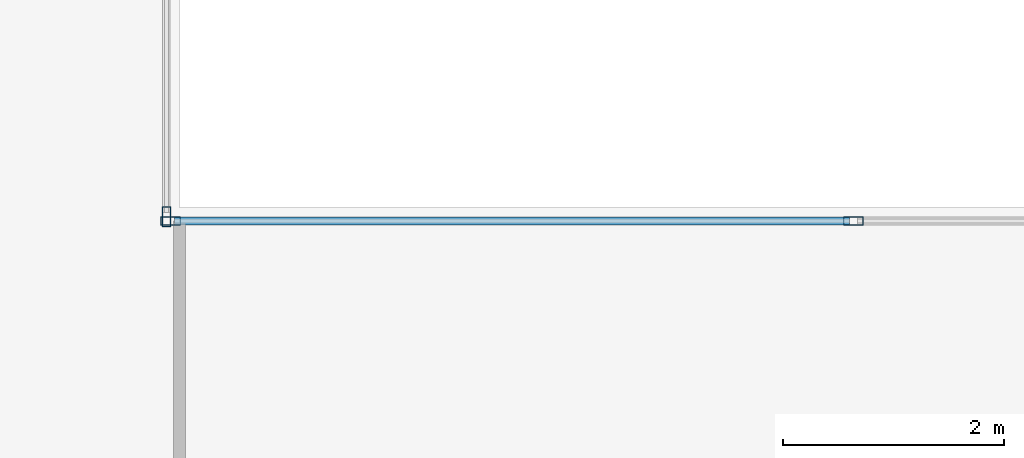
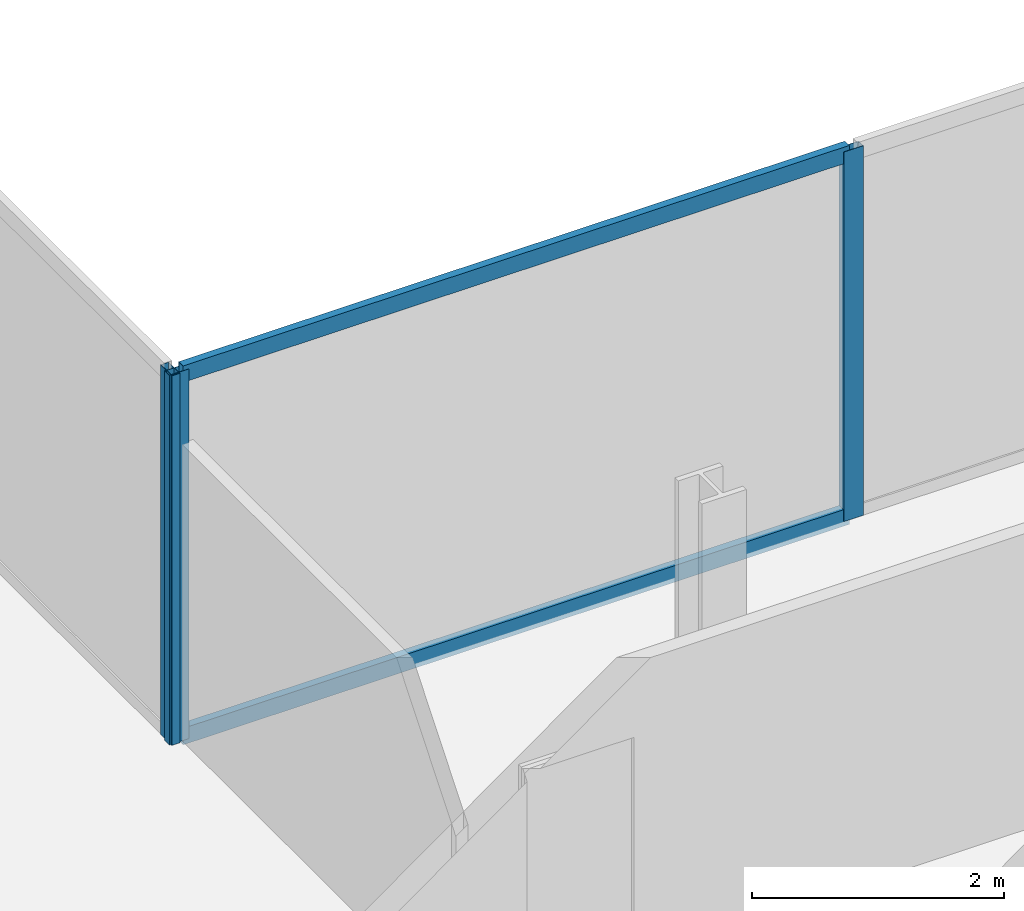
# One storey, part 7 of 23: 5 members, 2 elements without a shape of their own.
"""IFC4 building model written with IfcOpenShell, lengths in metres."""

from ifc_helpers import new_model, si_unit, direction, frame, origin, origin_2d, place, context, subcontext, project, spatial, hollow_rectangle, extrude, material, material_profile, profile_set, type_object, element, aggregate, save


model = new_model("IFC4")

# Units and contexts
model_context = context("Model", 3, precision=1e-05, world=origin(), true_north=direction((0.0, 1.0)))
body_context = subcontext(model_context, "Body", "Model", "MODEL_VIEW")
ifc_project = project(units=[si_unit("LENGTHUNIT", "METRE"), si_unit("AREAUNIT", "SQUARE_METRE"), si_unit("VOLUMEUNIT", "CUBIC_METRE"), si_unit("PLANEANGLEUNIT", "RADIAN"), si_unit("MASSUNIT", "GRAM", prefix="KILO")], contexts=[model_context])

# Site, building, storey
site_placement = place(None, origin())
site = spatial("IfcSite", under=ifc_project, at=site_placement, CompositionType="ELEMENT")
building_placement = place(site_placement, origin())
building = spatial("IfcBuilding", under=site, at=building_placement, Name="Cobrela Telecom Tower", CompositionType="ELEMENT")
storey_placement = place(building_placement, frame((0.0, 0.0, 129.14990234375)))
storey = spatial("IfcBuildingStorey", under=building, at=storey_placement, Name="L32", CompositionType="ELEMENT", Elevation=129.14990234375)

# Curtain wall, member
ifc_material = material(Name="Anodized Bronze Aluminium 6063-T6", Category="aluminium")
curtain_wall_type = type_object("IfcCurtainWallType", Name="CW-SYS-TEL", PredefinedType="USERDEFINED", material=ifc_material)
curtain_wall_1_placement = place(storey_placement, origin())
curtain_wall_1 = element("IfcCurtainWall", 1, at=curtain_wall_1_placement, inside=storey, type_object=curtain_wall_type, Name="L32 Unitised Bronze Curtain Wall 10", ObjectType="UNITISED CURTAIN WALL", PredefinedType="USERDEFINED")
ifc_material_profile_1 = material_profile(ifc_material, hollow_rectangle(XDim=0.074951171875, YDim=0.179931640625, WallThickness=0.00390625, at=origin_2d()), Name="ALU 75x180x4")
ifc_profile_set_1 = profile_set([ifc_material_profile_1], Name="Anodized Bronze Aluminium 6063-T6")
member_type_1 = type_object("IfcMemberType", Name="CW-SYS-TEL-MUL", PredefinedType="MULLION", material=ifc_profile_set_1)
member_1_placement = place(storey_placement, frame((25.8798828125, 25.117431640625, 0.0), z_axis=(0.0, 0.0, 1.0), x_axis=(1.0, 0.0, 0.0)))
member_1 = element("IfcMember", 2, at=member_1_placement, type_object=member_type_1, Name="CW-TEL mullion 3", PredefinedType="MULLION", context=body_context, shape_type="SweptSolid", body=[
    extrude(hollow_rectangle(XDim=0.074951171875, YDim=0.179931640625, WallThickness=0.00390625, at=origin_2d()), origin(), (0.0, 0.0, 1.0), 3.580078125),
])
aggregate(curtain_wall_1, [member_1])

# Curtain wall, members
curtain_wall_2_placement = place(storey_placement, origin())
curtain_wall_2 = element("IfcCurtainWall", 3, at=curtain_wall_2_placement, inside=storey, type_object=curtain_wall_type, Name="L32 Unitised Bronze Curtain Wall 11", ObjectType="UNITISED CURTAIN WALL", PredefinedType="USERDEFINED")
member_2_placement = place(storey_placement, frame((25.91748046875, 25.080078125, 0.0), z_axis=(0.0, 0.0, 1.0), x_axis=(0.0, 1.0, 0.0)))
member_2 = element("IfcMember", 4, at=member_2_placement, type_object=member_type_1, Name="CW-TEL mullion 1", PredefinedType="MULLION", context=body_context, shape_type="SweptSolid", body=[
    extrude(hollow_rectangle(XDim=0.074951171875, YDim=0.179931640625, WallThickness=0.00390625, at=origin_2d()), origin(), (0.0, 0.0, 1.0), 3.580078125),
])
member_3_placement = place(storey_placement, frame((32.0966796875, 25.080078125, 0.0), z_axis=(0.0, 0.0, 1.0), x_axis=(0.0, 1.0, 0.0)))
member_3 = element("IfcMember", 5, at=member_3_placement, type_object=member_type_1, Name="CW-TEL mullion 2", PredefinedType="MULLION", context=body_context, shape_type="SweptSolid", body=[
    extrude(hollow_rectangle(XDim=0.074951171875, YDim=0.179931640625, WallThickness=0.00390625, at=origin_2d()), origin(), (0.0, 0.0, 1.0), 3.580078125),
])
ifc_material_profile_2 = material_profile(ifc_material, hollow_rectangle(XDim=0.070068359375, YDim=0.159912109375, WallThickness=0.00390625, at=origin_2d()), Name="ALU 70x160x4")
ifc_profile_set_2 = profile_set([ifc_material_profile_2], Name="Anodized Bronze Aluminium 6063-T6")
member_type_2 = type_object("IfcMemberType", Name="CW-SYS-TEL-TRN", PredefinedType="USERDEFINED", material=ifc_profile_set_2)
member_4_placement = place(storey_placement, frame((25.955078125, 25.080078125, 0.03515625), z_axis=(1.0, 0.0, 0.0), x_axis=(0.0, 1.0, 0.0)))
member_4 = element("IfcMember", 6, at=member_4_placement, type_object=member_type_2, Name="CW-TEL transom 1.1", ObjectType="TRANSOM", PredefinedType="USERDEFINED", context=body_context, shape_type="SweptSolid", body=[
    extrude(hollow_rectangle(XDim=0.070068359375, YDim=0.159912109375, WallThickness=0.00390625, at=origin_2d()), origin(), (0.0, 0.0, 1.0), 6.10400390625),
])
member_5_placement = place(storey_placement, frame((25.955078125, 25.080078125, 3.545166015625), z_axis=(1.0, 0.0, 0.0), x_axis=(0.0, 1.0, 0.0)))
member_5 = element("IfcMember", 7, at=member_5_placement, type_object=member_type_2, Name="CW-TEL transom 1.2", ObjectType="TRANSOM", PredefinedType="USERDEFINED", context=body_context, shape_type="SweptSolid", body=[
    extrude(hollow_rectangle(XDim=0.070068359375, YDim=0.159912109375, WallThickness=0.00390625, at=origin_2d()), origin(), (0.0, 0.0, 1.0), 6.10400390625),
])
aggregate(curtain_wall_2, [member_2, member_3, member_4, member_5])

save(model, "model.ifc")
